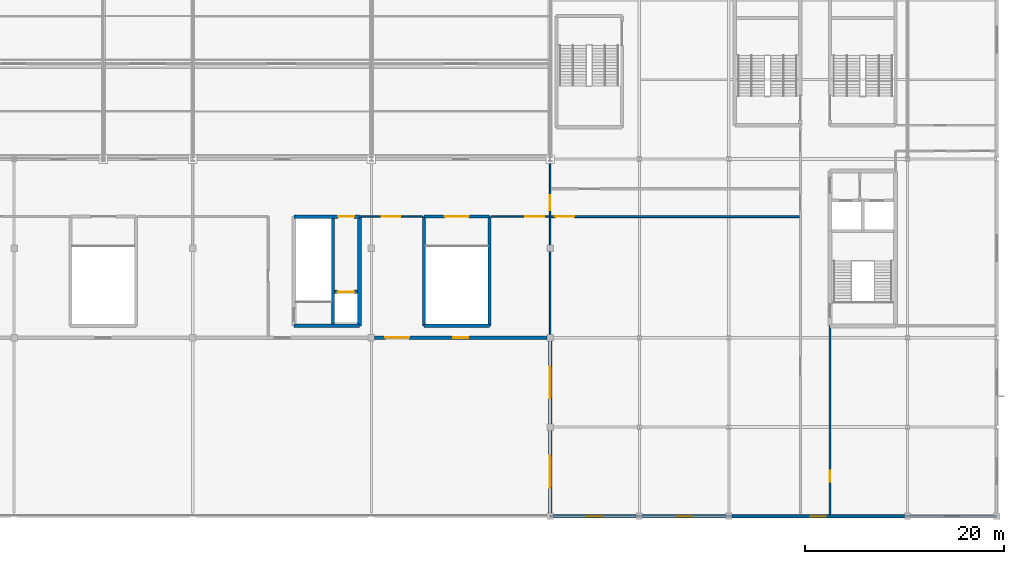
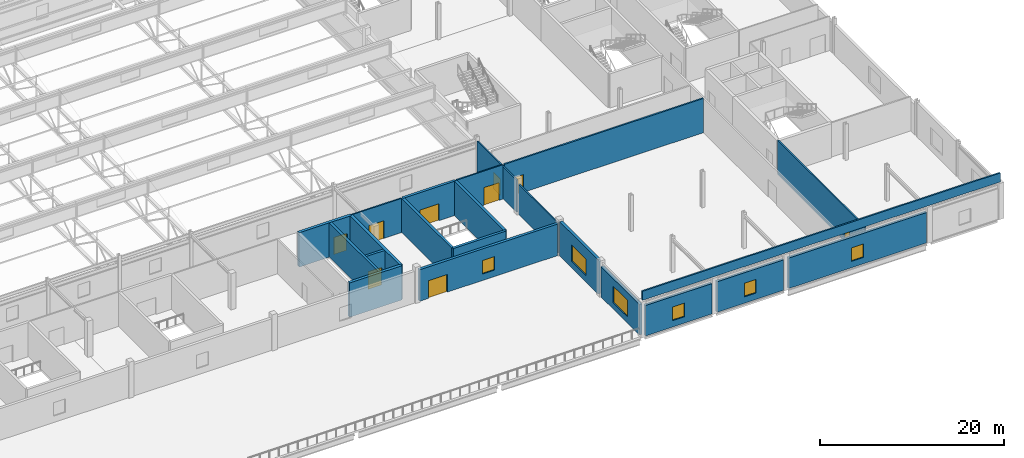
# One storey, part 103 of 136: 22 walls, 9 doors, 6 windows, 15 openings.
"""IFC4 building model written with IfcOpenShell, lengths in metres."""

from ifc_helpers import new_model, si_unit, direction, frame, frame_2d, origin, place, context, subcontext, project, spatial, rectangle, extrude, material, layer, layer_set, type_object, element, fill, save


model = new_model("IFC4")

# Units and contexts
model_context = context("Model", 3, precision=1e-05, world=origin(), true_north=direction((0.0, 1.0)))
body_context = subcontext(model_context, "Body", "Model", "MODEL_VIEW")
ifc_project = project(units=[si_unit("LENGTHUNIT", "METRE"), si_unit("AREAUNIT", "SQUARE_METRE"), si_unit("VOLUMEUNIT", "CUBIC_METRE"), si_unit("PLANEANGLEUNIT", "RADIAN"), si_unit("MASSUNIT", "GRAM", prefix="KILO")], contexts=[model_context])

# Site, building, storey
site_placement = place(None, origin())
site = spatial("IfcSite", under=ifc_project, at=site_placement, CompositionType="ELEMENT")
building_placement = place(site_placement, origin())
building = spatial("IfcBuilding", under=site, at=building_placement, Name="Kisiwana Market Hall", CompositionType="ELEMENT")
storey_placement = place(building_placement, frame((0.0, 0.0, 16.800048828125)))
storey = spatial("IfcBuildingStorey", under=building, at=storey_placement, Name="L03", CompositionType="ELEMENT", Elevation=16.800048828125)

# Wall, opening, door
ifc_material_1 = material(Name="Masonry blockwork", Category="masonry")
ifc_layer_1 = layer(ifc_material_1, 0.199951171875, Name="Plastered fire compartment block wall")
ifc_layer_set_1 = layer_set([ifc_layer_1], Name="WL-COMP-200")
wall_type_1 = type_object("IfcWallType", Name="WL-COMP-200", PredefinedType="PARTITIONING", material=ifc_layer_set_1)
wall_1_placement = place(storey_placement, frame((153.0849609375, 30.199951171875, 0.0), z_axis=(0.0, 0.0, 1.0), x_axis=(1.0, 0.0, 0.0)))
wall_1 = element("IfcWall", 1, at=wall_1_placement, inside=storey, type_object=wall_type_1, Name="Interior partition W-1481", PredefinedType="PARTITIONING", context=body_context, shape_type="SweptSolid", body=[
    extrude(rectangle(XDim=25.01513671875, YDim=0.199951171875, at=frame_2d((12.507568359375, 0.0))), origin(), (0.0, 0.0, 1.0), 4.554931640625),
])
opening_1_placement = place(wall_1_placement, frame((0.449951171875, 0.0, 0.0)))
opening_1 = element("IfcOpeningElement", 2, at=opening_1_placement, cuts=wall_1, Name="Opening DR-L03-075", PredefinedType="OPENING", context=body_context, shape_type="SweptSolid", body=[
    extrude(rectangle(XDim=1.89990234375, YDim=2.35009765625, at=frame_2d((0.949951171875, 1.175048828125))), frame((0.0, 0.11181640625, 0.0), z_axis=(0.0, -1.0, 0.0), x_axis=(1.0, 0.0, 0.0)), (0.0, 0.0, 1.0), 0.223876953125),
])
ifc_material_2 = material(Name="Steel S275", Category="steel")
door_type_1 = type_object("IfcDoorType", Name="DR-HALL-1900", OperationType="DOUBLE_DOOR_SINGLE_SWING", PredefinedType="DOOR", material=ifc_material_2)
door_1_placement = place(opening_1_placement, origin())
door_1 = element("IfcDoor", 3, at=door_1_placement, inside=storey, type_object=door_type_1, Name="L03 E Exhibition Reception Gallery Exit Door", OperationType="DOUBLE_DOOR_SINGLE_SWING", OverallHeight=2.35009765625, OverallWidth=1.89990234375, PredefinedType="DOOR", context=body_context, shape_type="SweptSolid", body=[
    extrude(rectangle(XDim=1.89990234375, YDim=2.35009765625, at=frame_2d((0.949951171875, 1.175048828125))), frame((0.0, 0.02490234375, 0.0), z_axis=(0.0, -1.0, 0.0), x_axis=(1.0, 0.0, 0.0)), (0.0, 0.0, 1.0), 0.050048828125),
])
fill(opening_1, door_1)

# Wall
ifc_material_3 = material(Name="Concrete C40/50", Category="concrete")
ifc_layer_2 = layer(ifc_material_3, 0.320068359375, Name="Reinforced concrete shaft wall")
ifc_layer_set_2 = layer_set([ifc_layer_2], Name="WL-CORE-320")
wall_type_2 = type_object("IfcWallType", Name="WL-CORE-320", PredefinedType="SHEAR", material=ifc_layer_set_2)
wall_2_placement = place(storey_placement, frame((131.139892578125, 19.3798828125, 0.0), z_axis=(0.0, 0.0, 1.0), x_axis=(0.0, 1.0, 0.0)))
element("IfcWall", 4, at=wall_2_placement, inside=storey, type_object=wall_type_2, Name="Core S2 shaft divider W-1229", PredefinedType="SHEAR", context=body_context, shape_type="SweptSolid", body=[
    extrude(rectangle(XDim=10.64013671875, YDim=0.320068359375, at=frame_2d((5.320068359375, 0.0))), origin(), (0.0, 0.0, 1.0), 4.554931640625),
])

# Wall, opening, door
wall_3_placement = place(storey_placement, frame((131.300048828125, 22.6298828125, 0.0), z_axis=(0.0, 0.0, 1.0), x_axis=(1.0, 0.0, 0.0)))
wall_3 = element("IfcWall", 5, at=wall_3_placement, inside=storey, type_object=wall_type_2, Name="Core S2 goods lift front wall W-1230", PredefinedType="SHEAR", context=body_context, shape_type="SweptSolid", body=[
    extrude(rectangle(XDim=2.320068359375, YDim=0.320068359375, at=frame_2d((1.16015625, 0.0))), origin(), (0.0, 0.0, 1.0), 4.554931640625),
])
opening_2_placement = place(wall_3_placement, frame((0.300048828125, 0.0, 0.0)))
opening_2 = element("IfcOpeningElement", 6, at=opening_2_placement, cuts=wall_3, Name="Opening LD-L03-009", PredefinedType="OPENING", context=body_context, shape_type="SweptSolid", body=[
    extrude(rectangle(XDim=1.64990234375, YDim=2.35009765625, at=frame_2d((0.824951171875, 1.175048828125))), frame((0.0, 0.171875, 0.0), z_axis=(0.0, -1.0, 0.0), x_axis=(1.0, 0.0, 0.0)), (0.0, 0.0, 1.0), 0.343994140625),
])
ifc_material_4 = material(Name="Steel S275", Category="steel")
door_type_2 = type_object("IfcDoorType", Name="DR-LIFT-GDS-1650", OperationType="DOUBLE_DOOR_SLIDING", PredefinedType="DOOR", material=ifc_material_4)
door_2_placement = place(opening_2_placement, origin())
door_2 = element("IfcDoor", 7, at=door_2_placement, inside=storey, type_object=door_type_2, Name="Lift Landing Door LG-01 (L03)", OperationType="DOUBLE_DOOR_SLIDING", OverallHeight=2.35009765625, OverallWidth=1.64990234375, PredefinedType="DOOR", context=body_context, shape_type="SweptSolid", body=[
    extrude(rectangle(XDim=1.64990234375, YDim=2.35009765625, at=frame_2d((0.824951171875, 1.175048828125))), frame((0.0, 0.02490234375, 0.0), z_axis=(0.0, -1.0, 0.0), x_axis=(1.0, 0.0, 0.0)), (0.0, 0.0, 1.0), 0.050048828125),
])
fill(opening_2, door_2)

# Wall
wall_4_placement = place(storey_placement, frame((140.300048828125, 19.199951171875, 0.0), z_axis=(0.0, 0.0, 1.0), x_axis=(1.0, 0.0, 0.0)))
element("IfcWall", 8, at=wall_4_placement, inside=storey, type_object=wall_type_2, Name="Core S6 outer shear wall W-1330", PredefinedType="SHEAR", context=body_context, shape_type="SweptSolid", body=[
    extrude(rectangle(XDim=6.599853515625, YDim=0.320068359375, at=frame_2d((3.2998046875, 0.0))), origin(), (0.0, 0.0, 1.0), 4.554931640625),
])

# Wall, opening, door
wall_5_placement = place(storey_placement, frame((140.300048828125, 30.199951171875, 0.0), z_axis=(0.0, 0.0, 1.0), x_axis=(1.0, 0.0, 0.0)))
wall_5 = element("IfcWall", 9, at=wall_5_placement, inside=storey, type_object=wall_type_2, Name="Core S6 corridor shear wall W-1331", PredefinedType="SHEAR", context=body_context, shape_type="SweptSolid", body=[
    extrude(rectangle(XDim=6.599853515625, YDim=0.320068359375, at=frame_2d((3.2998046875, 0.0))), origin(), (0.0, 0.0, 1.0), 4.554931640625),
])
opening_3_placement = place(wall_5_placement, frame((2.10009765625, 0.0, 0.0)))
opening_3 = element("IfcOpeningElement", 10, at=opening_3_placement, cuts=wall_5, Name="Opening DR-L03-039", PredefinedType="OPENING", context=body_context, shape_type="SweptSolid", body=[
    extrude(rectangle(XDim=2.39990234375, YDim=2.25, at=frame_2d((1.199951171875, 1.125))), frame((0.0, 0.171875, 0.0), z_axis=(0.0, -1.0, 0.0), x_axis=(1.0, 0.0, 0.0)), (0.0, 0.0, 1.0), 0.343994140625),
])
ifc_material_5 = material(Name="Steel S275", Category="steel")
door_type_3 = type_object("IfcDoorType", Name="DR-STAIR-FD120-2400", OperationType="DOUBLE_DOOR_SINGLE_SWING", PredefinedType="DOOR", material=ifc_material_5)
door_3_placement = place(opening_3_placement, frame((2.39990234375, 0.0, 0.0), z_axis=(0.0, 0.0, 1.0), x_axis=(-1.0, 0.0, 0.0)))
door_3 = element("IfcDoor", 11, at=door_3_placement, inside=storey, type_object=door_type_3, Name="Escape Stair S6 Fire Door (L03)", OperationType="DOUBLE_DOOR_SINGLE_SWING", OverallHeight=2.25, OverallWidth=2.39990234375, PredefinedType="DOOR", context=body_context, shape_type="SweptSolid", body=[
    extrude(rectangle(XDim=2.39990234375, YDim=2.25, at=frame_2d((1.199951171875, 1.125))), frame((0.0, 0.02490234375, 0.0), z_axis=(0.0, -1.0, 0.0), x_axis=(1.0, 0.0, 0.0)), (0.0, 0.0, 1.0), 0.050048828125),
])
fill(opening_3, door_3)

# Walls
for number, where, z_axis, x_axis, name in (
    (12, (140.300048828125, 19.199951171875, 0.0), (0.0, 0.0, 1.0), (0.0, 1.0, 0.0), "Core S6 west shear wall W-1332"),
    (13, (146.89990234375, 19.199951171875, 0.0), (0.0, 0.0, 1.0), (0.0, 1.0, 0.0), "Core S6 east shear wall W-1333"),
):
    element("IfcWall", number, at=place(storey_placement, frame(where, z_axis=z_axis, x_axis=x_axis)), inside=storey, type_object=wall_type_2, Name=name, PredefinedType="SHEAR", context=body_context, shape_type="SweptSolid", body=[
        extrude(rectangle(XDim=11.0, YDim=0.320068359375, at=frame_2d((5.5, 0.0))), origin(), (0.0, 0.0, 1.0), 4.554931640625),
    ])
ifc_material_6 = material(Name="Concrete C40/50", Category="concrete")
ifc_layer_3 = layer(ifc_material_6, 0.360107421875, Name="Reinforced concrete core wall")
ifc_layer_set_3 = layer_set([ifc_layer_3], Name="WL-CORE-360")
wall_type_3 = type_object("IfcWallType", Name="WL-CORE-360", PredefinedType="SHEAR", material=ifc_layer_set_3)
wall_6_placement = place(storey_placement, frame((127.199951171875, 19.199951171875, 0.0), z_axis=(0.0, 0.0, 1.0), x_axis=(1.0, 0.0, 0.0)))
element("IfcWall", 14, at=wall_6_placement, inside=storey, type_object=wall_type_3, Name="Core S2 south wall W-1225", PredefinedType="SHEAR", context=body_context, shape_type="SweptSolid", body=[
    extrude(rectangle(XDim=6.60009765625, YDim=0.360107421875, at=frame_2d((3.300048828125, 0.0))), origin(), (0.0, 0.0, 1.0), 4.554931640625),
])

# Wall, opening, door
wall_7_placement = place(storey_placement, frame((127.199951171875, 30.199951171875, 0.0), z_axis=(0.0, 0.0, 1.0), x_axis=(1.0, 0.0, 0.0)))
wall_7 = element("IfcWall", 15, at=wall_7_placement, inside=storey, type_object=wall_type_3, Name="Core S2 north wall W-1226", PredefinedType="SHEAR", context=body_context, shape_type="SweptSolid", body=[
    extrude(rectangle(XDim=6.60009765625, YDim=0.360107421875, at=frame_2d((3.300048828125, 0.0))), origin(), (0.0, 0.0, 1.0), 4.554931640625),
])
opening_4_placement = place(wall_7_placement, frame((4.449951171875, 0.0, 0.0)))
opening_4 = element("IfcOpeningElement", 16, at=opening_4_placement, cuts=wall_7, Name="Opening DR-L03-015", PredefinedType="OPENING", context=body_context, shape_type="SweptSolid", body=[
    extrude(rectangle(XDim=1.60009765625, YDim=2.300048828125, at=frame_2d((0.800048828125, 1.14990234375))), frame((0.0, 0.19189453125, 0.0), z_axis=(0.0, -1.0, 0.0), x_axis=(1.0, 0.0, 0.0)), (0.0, 0.0, 1.0), 0.384033203125),
])
ifc_material_7 = material(Name="Steel S275", Category="steel")
door_type_4 = type_object("IfcDoorType", Name="DR-PLANT-FD120-1600", OperationType="DOUBLE_DOOR_SINGLE_SWING", PredefinedType="DOOR", material=ifc_material_7)
door_4_placement = place(opening_4_placement, origin())
door_4 = element("IfcDoor", 17, at=door_4_placement, inside=storey, type_object=door_type_4, Name="Goods Lift Lobby S2 Door (L03)", OperationType="DOUBLE_DOOR_SINGLE_SWING", OverallHeight=2.300048828125, OverallWidth=1.60009765625, PredefinedType="DOOR", context=body_context, shape_type="SweptSolid", body=[
    extrude(rectangle(XDim=1.60009765625, YDim=2.300048828125, at=frame_2d((0.800048828125, 1.14990234375))), frame((0.0, 0.02490234375, 0.0), z_axis=(0.0, -1.0, 0.0), x_axis=(1.0, 0.0, 0.0)), (0.0, 0.0, 1.0), 0.050048828125),
])
fill(opening_4, door_4)

# Wall
wall_8_placement = place(storey_placement, frame((133.800048828125, 19.199951171875, 0.0), z_axis=(0.0, 0.0, 1.0), x_axis=(0.0, 1.0, 0.0)))
element("IfcWall", 18, at=wall_8_placement, inside=storey, type_object=wall_type_3, Name="Core S2 east wall W-1228", PredefinedType="SHEAR", context=body_context, shape_type="SweptSolid", body=[
    extrude(rectangle(XDim=11.0, YDim=0.360107421875, at=frame_2d((5.5, 0.0))), origin(), (0.0, 0.0, 1.0), 4.554931640625),
])

# Wall, opening, door
ifc_material_8 = material(Name="Masonry blockwork", Category="masonry")
ifc_layer_4 = layer(ifc_material_8, 0.169921875, Name="Protected corridor partition")
ifc_layer_set_4 = layer_set([ifc_layer_4], Name="WL-CORR-170")
wall_type_4 = type_object("IfcWallType", Name="WL-CORR-170", PredefinedType="PARTITIONING", material=ifc_layer_set_4)
wall_9_placement = place(storey_placement, frame((181.199951171875, 0.169921875, 0.0), z_axis=(0.0, 0.0, 1.0), x_axis=(0.0, 1.0, 0.0)))
wall_9 = element("IfcWall", 19, at=wall_9_placement, inside=storey, type_object=wall_type_4, Name="Interior partition W-1479", PredefinedType="PARTITIONING", context=body_context, shape_type="SweptSolid", body=[
    extrude(rectangle(XDim=19.030029296875, YDim=0.169921875, at=frame_2d((9.51513671875, 0.0))), origin(), (0.0, 0.0, 1.0), 4.554931640625),
])
opening_5_placement = place(wall_9_placement, frame((3.300048828125, 0.0, 0.0)))
opening_5 = element("IfcOpeningElement", 20, at=opening_5_placement, cuts=wall_9, Name="Opening DR-L03-073", PredefinedType="OPENING", context=body_context, shape_type="SweptSolid", body=[
    extrude(rectangle(XDim=1.14990234375, YDim=2.14990234375, at=frame_2d((0.574951171875, 1.074951171875))), frame((0.0, 0.096923828125, 0.0), z_axis=(0.0, -1.0, 0.0), x_axis=(1.0, 0.0, 0.0)), (0.0, 0.0, 1.0), 0.19384765625),
])
ifc_material_9 = material(Name="Aluminium alloy 6063-T6", Category="aluminium")
door_type_5 = type_object("IfcDoorType", Name="DR-MEET-1150", OperationType="NOTDEFINED", PredefinedType="DOOR", material=ifc_material_9)
door_5_placement = place(opening_5_placement, frame((1.14990234375, 0.0, 0.0), z_axis=(0.0, 0.0, 1.0), x_axis=(-1.0, 0.0, 0.0)))
door_5 = element("IfcDoor", 21, at=door_5_placement, inside=storey, type_object=door_type_5, Name="L03 E Corner Office Suite South Door", OperationType="SINGLE_SWING_RIGHT", OverallHeight=2.14990234375, OverallWidth=1.14990234375, PredefinedType="DOOR", context=body_context, shape_type="SweptSolid", body=[
    extrude(rectangle(XDim=1.14990234375, YDim=2.14990234375, at=frame_2d((0.574951171875, 1.074951171875))), frame((0.0, 0.02490234375, 0.0), z_axis=(0.0, -1.0, 0.0), x_axis=(1.0, 0.0, 0.0)), (0.0, 0.0, 1.0), 0.050048828125),
])
fill(opening_5, door_5)

# Wall
wall_10_placement = place(storey_placement, frame((153.0, 18.219970703125, 0.0), z_axis=(0.0, 0.0, 1.0), x_axis=(0.0, 1.0, 0.0)))
element("IfcWall", 22, at=wall_10_placement, inside=storey, type_object=wall_type_4, Name="Interior partition W-1488", PredefinedType="PARTITIONING", context=body_context, shape_type="SweptSolid", body=[
    extrude(rectangle(XDim=8.56005859375, YDim=0.169921875, at=frame_2d((4.280029296875, 0.0))), origin(), (0.0, 0.0, 1.0), 4.001953125),
])

# Wall, opening, door
wall_11_placement = place(storey_placement, frame((153.0, 27.219970703125, 0.0), z_axis=(0.0, 0.0, 1.0), x_axis=(0.0, 1.0, 0.0)))
wall_11 = element("IfcWall", 23, at=wall_11_placement, inside=storey, type_object=wall_type_4, Name="Interior partition W-1489", PredefinedType="PARTITIONING", context=body_context, shape_type="SweptSolid", body=[
    extrude(rectangle(XDim=8.56005859375, YDim=0.169921875, at=frame_2d((4.280029296875, 0.0))), origin(), (0.0, 0.0, 1.0), 4.258056640625),
])
opening_6_placement = place(wall_11_placement, frame((3.6298828125, 0.0, 0.0)))
opening_6 = element("IfcOpeningElement", 24, at=opening_6_placement, cuts=wall_11, Name="Opening DR-L03-084", PredefinedType="OPENING", context=body_context, shape_type="SweptSolid", body=[
    extrude(rectangle(XDim=1.5, YDim=2.199951171875, at=frame_2d((0.75, 1.10009765625))), frame((0.0, 0.096923828125, 0.0), z_axis=(0.0, -1.0, 0.0), x_axis=(1.0, 0.0, 0.0)), (0.0, 0.0, 1.0), 0.19384765625),
])
ifc_material_10 = material(Name="Steel S275", Category="steel")
door_type_6 = type_object("IfcDoorType", Name="DR-CORR-FD60-1500", OperationType="DOUBLE_DOOR_SINGLE_SWING", PredefinedType="DOOR", material=ifc_material_10)
door_6_placement = place(opening_6_placement, origin())
door_6 = element("IfcDoor", 25, at=door_6_placement, inside=storey, type_object=door_type_6, Name="L03 E South Spine Link Door", OperationType="DOUBLE_DOOR_SINGLE_SWING", OverallHeight=2.199951171875, OverallWidth=1.5, PredefinedType="DOOR", context=body_context, shape_type="SweptSolid", body=[
    extrude(rectangle(XDim=1.5, YDim=2.199951171875, at=frame_2d((0.75, 1.10009765625))), frame((0.0, 0.02490234375, 0.0), z_axis=(0.0, -1.0, 0.0), x_axis=(1.0, 0.0, 0.0)), (0.0, 0.0, 1.0), 0.050048828125),
])
fill(opening_6, door_6)

wall_12_placement = place(storey_placement, frame((133.800048828125, 30.199951171875, 0.0), z_axis=(0.0, 0.0, 1.0), x_axis=(1.0, 0.0, 0.0)))
wall_12 = element("IfcWall", 26, at=wall_12_placement, inside=storey, type_object=wall_type_4, Name="Interior partition W-1499", PredefinedType="PARTITIONING", context=body_context, shape_type="SweptSolid", body=[
    extrude(rectangle(XDim=6.33984375, YDim=0.169921875, at=frame_2d((3.169921875, 0.0))), origin(), (0.0, 0.0, 1.0), 4.554931640625),
])
opening_7_placement = place(wall_12_placement, frame((2.219970703125, 0.0, 0.0)))
opening_7 = element("IfcOpeningElement", 27, at=opening_7_placement, cuts=wall_12, Name="Opening DR-L03-092", PredefinedType="OPENING", context=body_context, shape_type="SweptSolid", body=[
    extrude(rectangle(XDim=1.89990234375, YDim=2.35009765625, at=frame_2d((0.949951171875, 1.175048828125))), frame((0.0, 0.096923828125, 0.0), z_axis=(0.0, -1.0, 0.0), x_axis=(1.0, 0.0, 0.0)), (0.0, 0.0, 1.0), 0.19384765625),
])
door_7_placement = place(opening_7_placement, frame((1.89990234375, 0.0, 0.0), z_axis=(0.0, 0.0, 1.0), x_axis=(-1.0, 0.0, 0.0)))
door_7 = element("IfcDoor", 28, at=door_7_placement, inside=storey, type_object=door_type_1, Name="L03 SE Terrace Lounge Door", OperationType="DOUBLE_DOOR_SINGLE_SWING", OverallHeight=2.35009765625, OverallWidth=1.89990234375, PredefinedType="DOOR", context=body_context, shape_type="SweptSolid", body=[
    extrude(rectangle(XDim=1.89990234375, YDim=2.35009765625, at=frame_2d((0.949951171875, 1.175048828125))), frame((0.0, 0.02490234375, 0.0), z_axis=(0.0, -1.0, 0.0), x_axis=(1.0, 0.0, 0.0)), (0.0, 0.0, 1.0), 0.050048828125),
])
fill(opening_7, door_7)

wall_13_placement = place(storey_placement, frame((147.06005859375, 30.199951171875, 0.0), z_axis=(0.0, 0.0, 1.0), x_axis=(1.0, 0.0, 0.0)))
wall_13 = element("IfcWall", 29, at=wall_13_placement, inside=storey, type_object=wall_type_4, Name="Interior partition W-1500", PredefinedType="PARTITIONING", context=body_context, shape_type="SweptSolid", body=[
    extrude(rectangle(XDim=5.85498046875, YDim=0.169921875, at=frame_2d((2.927490234375, 0.0))), origin(), (0.0, 0.0, 1.0), 4.554931640625),
])
opening_8_placement = place(wall_13_placement, frame((3.449951171875, 0.0, 0.0)))
opening_8 = element("IfcOpeningElement", 30, at=opening_8_placement, cuts=wall_13, Name="Opening DR-L03-093", PredefinedType="OPENING", context=body_context, shape_type="SweptSolid", body=[
    extrude(rectangle(XDim=1.89990234375, YDim=2.35009765625, at=frame_2d((0.949951171875, 1.175048828125))), frame((0.0, 0.096923828125, 0.0), z_axis=(0.0, -1.0, 0.0), x_axis=(1.0, 0.0, 0.0)), (0.0, 0.0, 1.0), 0.19384765625),
])
door_8_placement = place(opening_8_placement, frame((1.89990234375, 0.0, 0.0), z_axis=(0.0, 0.0, 1.0), x_axis=(-1.0, 0.0, 0.0)))
door_8 = element("IfcDoor", 31, at=door_8_placement, inside=storey, type_object=door_type_1, Name="L03 E South East Terrace Lounge Exit Door", OperationType="DOUBLE_DOOR_SINGLE_SWING", OverallHeight=2.35009765625, OverallWidth=1.89990234375, PredefinedType="DOOR", context=body_context, shape_type="SweptSolid", body=[
    extrude(rectangle(XDim=1.89990234375, YDim=2.35009765625, at=frame_2d((0.949951171875, 1.175048828125))), frame((0.0, 0.02490234375, 0.0), z_axis=(0.0, -1.0, 0.0), x_axis=(1.0, 0.0, 0.0)), (0.0, 0.0, 1.0), 0.050048828125),
])
fill(opening_8, door_8)

# Wall, opening, window
ifc_material_11 = material(Name="Concrete C40/50 precast", Category="concrete")
ifc_layer_5 = layer(ifc_material_11, 0.14990234375, Name="Precast architectural concrete spandrel")
ifc_material_12 = material(Name="Mineral wool insulation")
ifc_layer_6 = layer(ifc_material_12, 0.090087890625, Name="Rockwool thermal insulation")
ifc_material_13 = material(Name="Masonry blockwork", Category="masonry")
ifc_layer_7 = layer(ifc_material_13, 0.10009765625, Name="Inner masonry block leaf")
ifc_layer_set_5 = layer_set([ifc_layer_5, ifc_layer_6, ifc_layer_7], Name="WL-EXT-PREC-340")
wall_type_5 = type_object("IfcWallType", Name="WL-EXT-PREC-340", PredefinedType="STANDARD", material=ifc_layer_set_5)
wall_14_placement = place(storey_placement, frame((153.31689453125, 0.0, 0.0), z_axis=(0.0, 0.0, 1.0), x_axis=(1.0, 0.0, 0.0)))
wall_14 = element("IfcWall", 32, at=wall_14_placement, inside=storey, type_object=wall_type_5, Name="Exterior wall W-1342", PredefinedType="STANDARD", context=body_context, shape_type="SweptSolid", body=[
    extrude(rectangle(XDim=8.3662109375, YDim=0.340087890625, at=frame_2d((4.18310546875, 0.0))), origin(), (0.0, 0.0, 1.0), 4.0478515625),
])
opening_9_placement = place(wall_14_placement, frame((3.43310546875, 0.0, 0.85009765625)))
opening_9 = element("IfcOpeningElement", 33, at=opening_9_placement, cuts=wall_14, Name="Opening WN-14", PredefinedType="OPENING", context=body_context, shape_type="SweptSolid", body=[
    extrude(rectangle(XDim=1.5, YDim=1.800048828125, at=frame_2d((0.75, 0.89990234375))), frame((0.0, 0.18212890625, 0.0), z_axis=(0.0, -1.0, 0.0), x_axis=(1.0, 0.0, 0.0)), (0.0, 0.0, 1.0), 0.364013671875),
])
ifc_material_14 = material(Name="Double-glazed solar-control low-E IGU", Category="glass")
window_type_1 = type_object("IfcWindowType", Name="WN-POD-1500x1800", PartitioningType="SINGLE_PANEL", PredefinedType="WINDOW", material=ifc_material_14)
window_1_placement = place(opening_9_placement, origin())
window_1 = element("IfcWindow", 34, at=window_1_placement, inside=storey, type_object=window_type_1, Name="Exterior window WN-074", OverallHeight=1.800048828125, OverallWidth=1.5, PartitioningType="SINGLE_PANEL", PredefinedType="WINDOW", context=body_context, shape_type="SweptSolid", body=[
    extrude(rectangle(XDim=1.5, YDim=1.800048828125, at=frame_2d((0.75, 0.89990234375))), frame((0.0, 0.030029296875, 0.0), z_axis=(0.0, -1.0, 0.0), x_axis=(1.0, 0.0, 0.0)), (0.0, 0.0, 1.0), 0.06005859375),
])
fill(opening_9, window_1)

wall_15_placement = place(storey_placement, frame((162.31689453125, 0.0, 0.0), z_axis=(0.0, 0.0, 1.0), x_axis=(1.0, 0.0, 0.0)))
wall_15 = element("IfcWall", 35, at=wall_15_placement, inside=storey, type_object=wall_type_5, Name="Exterior wall W-1343", PredefinedType="STANDARD", context=body_context, shape_type="SweptSolid", body=[
    extrude(rectangle(XDim=8.3662109375, YDim=0.340087890625, at=frame_2d((4.18310546875, 0.0))), origin(), (0.0, 0.0, 1.0), 4.0478515625),
])
opening_10_placement = place(wall_15_placement, frame((3.43310546875, 0.0, 0.85009765625)))
opening_10 = element("IfcOpeningElement", 36, at=opening_10_placement, cuts=wall_15, Name="Opening WN-14", PredefinedType="OPENING", context=body_context, shape_type="SweptSolid", body=[
    extrude(rectangle(XDim=1.5, YDim=1.800048828125, at=frame_2d((0.75, 0.89990234375))), frame((0.0, 0.18212890625, 0.0), z_axis=(0.0, -1.0, 0.0), x_axis=(1.0, 0.0, 0.0)), (0.0, 0.0, 1.0), 0.364013671875),
])
window_2_placement = place(opening_10_placement, origin())
window_2 = element("IfcWindow", 37, at=window_2_placement, inside=storey, type_object=window_type_1, Name="Exterior window WN-075", OverallHeight=1.800048828125, OverallWidth=1.5, PartitioningType="SINGLE_PANEL", PredefinedType="WINDOW", context=body_context, shape_type="SweptSolid", body=[
    extrude(rectangle(XDim=1.5, YDim=1.800048828125, at=frame_2d((0.75, 0.89990234375))), frame((0.0, 0.030029296875, 0.0), z_axis=(0.0, -1.0, 0.0), x_axis=(1.0, 0.0, 0.0)), (0.0, 0.0, 1.0), 0.06005859375),
])
fill(opening_10, window_2)

wall_16_placement = place(storey_placement, frame((171.31689453125, 0.0, 0.0), z_axis=(0.0, 0.0, 1.0), x_axis=(1.0, 0.0, 0.0)))
wall_16 = element("IfcWall", 38, at=wall_16_placement, inside=storey, type_object=wall_type_5, Name="Exterior wall W-1344", PredefinedType="STANDARD", context=body_context, shape_type="SweptSolid", body=[
    extrude(rectangle(XDim=17.3662109375, YDim=0.340087890625, at=frame_2d((8.68310546875, 0.0))), origin(), (0.0, 0.0, 1.0), 4.0478515625),
])
opening_11_placement = place(wall_16_placement, frame((7.93310546875, 0.0, 0.85009765625)))
opening_11 = element("IfcOpeningElement", 39, at=opening_11_placement, cuts=wall_16, Name="Opening WN-14", PredefinedType="OPENING", context=body_context, shape_type="SweptSolid", body=[
    extrude(rectangle(XDim=1.5, YDim=1.800048828125, at=frame_2d((0.75, 0.89990234375))), frame((0.0, 0.18212890625, 0.0), z_axis=(0.0, -1.0, 0.0), x_axis=(1.0, 0.0, 0.0)), (0.0, 0.0, 1.0), 0.364013671875),
])
window_3_placement = place(opening_11_placement, origin())
window_3 = element("IfcWindow", 40, at=window_3_placement, inside=storey, type_object=window_type_1, Name="Exterior window WN-076", OverallHeight=1.800048828125, OverallWidth=1.5, PartitioningType="SINGLE_PANEL", PredefinedType="WINDOW", context=body_context, shape_type="SweptSolid", body=[
    extrude(rectangle(XDim=1.5, YDim=1.800048828125, at=frame_2d((0.75, 0.89990234375))), frame((0.0, 0.030029296875, 0.0), z_axis=(0.0, -1.0, 0.0), x_axis=(1.0, 0.0, 0.0)), (0.0, 0.0, 1.0), 0.06005859375),
])
fill(opening_11, window_3)

# Wall, openings, door, window
wall_17_placement = place(storey_placement, frame((135.31689453125, 18.0, 0.0), z_axis=(0.0, 0.0, 1.0), x_axis=(1.0, 0.0, 0.0)))
wall_17 = element("IfcWall", 41, at=wall_17_placement, inside=storey, type_object=wall_type_5, Name="Exterior wall W-1351", PredefinedType="STANDARD", context=body_context, shape_type="SweptSolid", body=[
    extrude(rectangle(XDim=17.3662109375, YDim=0.340087890625, at=frame_2d((8.68310546875, 0.0))), origin(), (0.0, 0.0, 1.0), 4.195068359375),
])
opening_12_placement = place(wall_17_placement, frame((7.93310546875, 0.0, 0.85009765625)))
opening_12 = element("IfcOpeningElement", 42, at=opening_12_placement, cuts=wall_17, Name="Opening WN-14", PredefinedType="OPENING", context=body_context, shape_type="SweptSolid", body=[
    extrude(rectangle(XDim=1.5, YDim=1.800048828125, at=frame_2d((0.75, 0.89990234375))), frame((0.0, 0.18212890625, 0.0), z_axis=(0.0, -1.0, 0.0), x_axis=(1.0, 0.0, 0.0)), (0.0, 0.0, 1.0), 0.364013671875),
])
opening_13_placement = place(wall_17_placement, frame((1.0830078125, 0.0, 0.0)))
opening_13 = element("IfcOpeningElement", 43, at=opening_13_placement, cuts=wall_17, Name="Opening DR-L03-980", PredefinedType="OPENING", context=body_context, shape_type="SweptSolid", body=[
    extrude(rectangle(XDim=2.39990234375, YDim=2.35009765625, at=frame_2d((1.199951171875, 1.175048828125))), frame((0.0, 0.18212890625, 0.0), z_axis=(0.0, -1.0, 0.0), x_axis=(1.0, 0.0, 0.0)), (0.0, 0.0, 1.0), 0.364013671875),
])
ifc_material_15 = material(Name="Aluminium alloy 6063-T6", Category="aluminium")
door_type_7 = type_object("IfcDoorType", Name="DR-EXT-TERR-2400", OperationType="DOUBLE_DOOR_SINGLE_SWING", PredefinedType="DOOR", material=ifc_material_15)
door_9_placement = place(opening_13_placement, origin())
door_9 = element("IfcDoor", 44, at=door_9_placement, inside=storey, type_object=door_type_7, Name="Exterior terrace access door DR-L03-980", OperationType="DOUBLE_DOOR_SINGLE_SWING", OverallHeight=2.35009765625, OverallWidth=2.39990234375, PredefinedType="DOOR", context=body_context, shape_type="SweptSolid", body=[
    extrude(rectangle(XDim=2.39990234375, YDim=2.35009765625, at=frame_2d((1.199951171875, 1.175048828125))), frame((0.0, 0.02490234375, 0.0), z_axis=(0.0, -1.0, 0.0), x_axis=(1.0, 0.0, 0.0)), (0.0, 0.0, 1.0), 0.050048828125),
])
fill(opening_13, door_9)
window_4_placement = place(opening_12_placement, origin())
window_4 = element("IfcWindow", 45, at=window_4_placement, inside=storey, type_object=window_type_1, Name="Exterior window WN-082", OverallHeight=1.800048828125, OverallWidth=1.5, PartitioningType="SINGLE_PANEL", PredefinedType="WINDOW", context=body_context, shape_type="SweptSolid", body=[
    extrude(rectangle(XDim=1.5, YDim=1.800048828125, at=frame_2d((0.75, 0.89990234375))), frame((0.0, 0.030029296875, 0.0), z_axis=(0.0, -1.0, 0.0), x_axis=(1.0, 0.0, 0.0)), (0.0, 0.0, 1.0), 0.06005859375),
])
fill(opening_12, window_4)

# Wall, opening, window
wall_18_placement = place(storey_placement, frame((153.0, 0.31689453125, 0.0), z_axis=(0.0, 0.0, 1.0), x_axis=(0.0, 1.0, 0.0)))
wall_18 = element("IfcWall", 46, at=wall_18_placement, inside=storey, type_object=wall_type_5, Name="Exterior wall W-1396", PredefinedType="STANDARD", context=body_context, shape_type="SweptSolid", body=[
    extrude(rectangle(XDim=8.3662109375, YDim=0.340087890625, at=frame_2d((4.18310546875, 0.0))), origin(), (0.0, 0.0, 1.0), 4.0478515625),
])
opening_14_placement = place(wall_18_placement, frame((2.5830078125, 0.0, 0.85009765625)))
opening_14 = element("IfcOpeningElement", 47, at=opening_14_placement, cuts=wall_18, Name="Opening WN-22", PredefinedType="OPENING", context=body_context, shape_type="SweptSolid", body=[
    extrude(rectangle(XDim=3.199951171875, YDim=2.199951171875, at=frame_2d((1.60009765625, 1.10009765625))), frame((0.0, 0.18212890625, 0.0), z_axis=(0.0, -1.0, 0.0), x_axis=(1.0, 0.0, 0.0)), (0.0, 0.0, 1.0), 0.364013671875),
])
ifc_material_16 = material(Name="Double-glazed solar-control low-E IGU", Category="glass")
window_type_2 = type_object("IfcWindowType", Name="WN-CONF-3200x2200", PartitioningType="SINGLE_PANEL", PredefinedType="WINDOW", material=ifc_material_16)
window_5_placement = place(opening_14_placement, origin())
window_5 = element("IfcWindow", 48, at=window_5_placement, inside=storey, type_object=window_type_2, Name="Exterior window WN-132", OverallHeight=2.199951171875, OverallWidth=3.199951171875, PartitioningType="SINGLE_PANEL", PredefinedType="WINDOW", context=body_context, shape_type="SweptSolid", body=[
    extrude(rectangle(XDim=3.199951171875, YDim=2.199951171875, at=frame_2d((1.60009765625, 1.10009765625))), frame((0.0, 0.030029296875, 0.0), z_axis=(0.0, -1.0, 0.0), x_axis=(1.0, 0.0, 0.0)), (0.0, 0.0, 1.0), 0.06005859375),
])
fill(opening_14, window_5)

wall_19_placement = place(storey_placement, frame((153.0, 9.31689453125, 0.0), z_axis=(0.0, 0.0, 1.0), x_axis=(0.0, 1.0, 0.0)))
wall_19 = element("IfcWall", 49, at=wall_19_placement, inside=storey, type_object=wall_type_5, Name="Exterior wall W-1397", PredefinedType="STANDARD", context=body_context, shape_type="SweptSolid", body=[
    extrude(rectangle(XDim=8.3662109375, YDim=0.340087890625, at=frame_2d((4.18310546875, 0.0))), origin(), (0.0, 0.0, 1.0), 4.554931640625),
])
opening_15_placement = place(wall_19_placement, frame((2.5830078125, 0.0, 0.85009765625)))
opening_15 = element("IfcOpeningElement", 50, at=opening_15_placement, cuts=wall_19, Name="Opening WN-22", PredefinedType="OPENING", context=body_context, shape_type="SweptSolid", body=[
    extrude(rectangle(XDim=3.199951171875, YDim=2.199951171875, at=frame_2d((1.60009765625, 1.10009765625))), frame((0.0, 0.18212890625, 0.0), z_axis=(0.0, -1.0, 0.0), x_axis=(1.0, 0.0, 0.0)), (0.0, 0.0, 1.0), 0.364013671875),
])
window_6_placement = place(opening_15_placement, origin())
window_6 = element("IfcWindow", 51, at=window_6_placement, inside=storey, type_object=window_type_2, Name="Exterior window WN-133", OverallHeight=2.199951171875, OverallWidth=3.199951171875, PartitioningType="SINGLE_PANEL", PredefinedType="WINDOW", context=body_context, shape_type="SweptSolid", body=[
    extrude(rectangle(XDim=3.199951171875, YDim=2.199951171875, at=frame_2d((1.60009765625, 1.10009765625))), frame((0.0, 0.030029296875, 0.0), z_axis=(0.0, -1.0, 0.0), x_axis=(1.0, 0.0, 0.0)), (0.0, 0.0, 1.0), 0.06005859375),
])
fill(opening_15, window_6)

# Wall
ifc_material_17 = material(Name="Concrete C40/50", Category="concrete")
ifc_layer_8 = layer(ifc_material_17, 0.18994140625, Name="Podium edge upstand parapet")
ifc_layer_set_6 = layer_set([ifc_layer_8], Name="WL-PARA-190")
wall_type_6 = type_object("IfcWallType", Name="WL-PARA-190", PredefinedType="PARAPET", material=ifc_layer_set_6)
wall_20_placement = place(storey_placement, frame((153.0, 0.0, 4.800048828125), z_axis=(0.0, 0.0, 1.0), x_axis=(1.0, 0.0, 0.0)))
element("IfcWall", 52, at=wall_20_placement, inside=storey, type_object=wall_type_6, Name="Roof parapet wall W-1512", PredefinedType="PARAPET", context=body_context, shape_type="SweptSolid", body=[
    extrude(rectangle(XDim=45.0, YDim=0.18994140625, at=frame_2d((22.5, 0.0))), origin(), (0.0, 0.0, 1.0), 1.199951171875),
])

save(model, "model.ifc")
